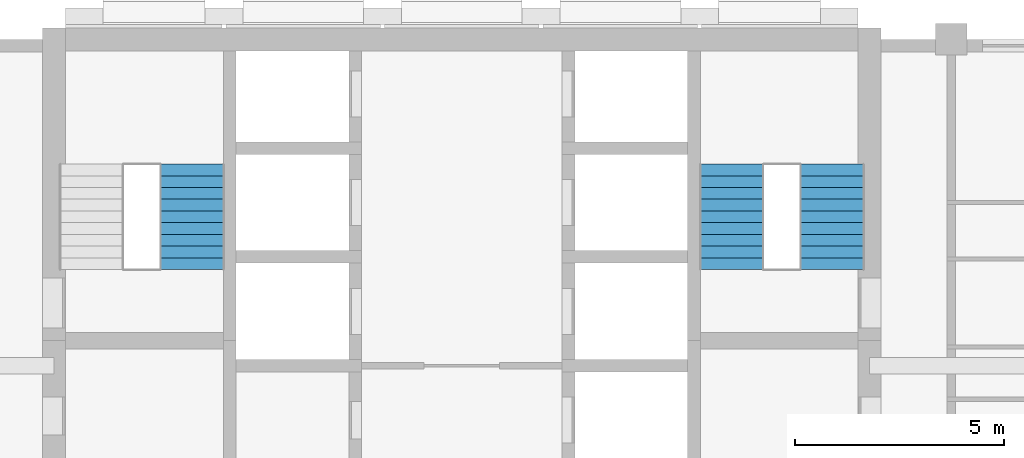
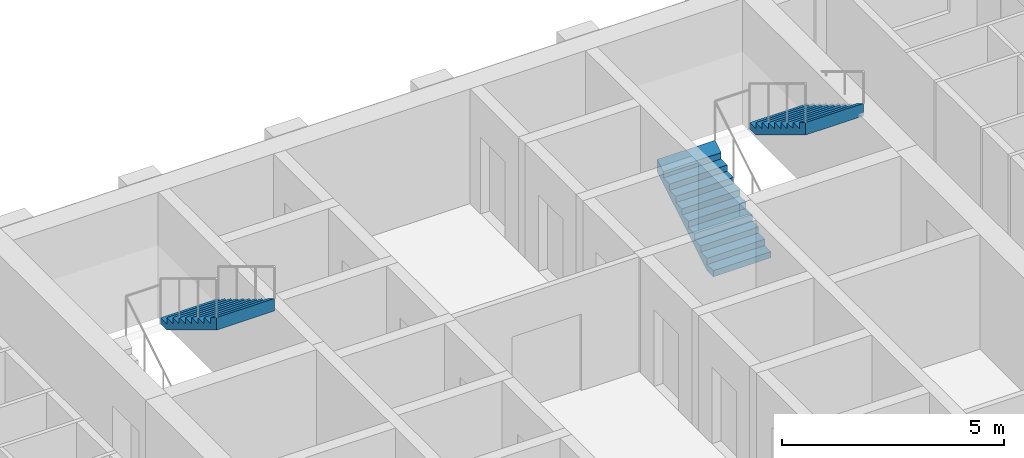
# One storey, part 11 of 13: 3 stair flights, 2 elements without a shape of their own.
"""IFC4 building model written with IfcOpenShell, lengths in metres."""

from ifc_helpers import new_model, si_unit, direction, frame, origin, place, context, subcontext, project, spatial, triangles, material, type_object, element, aggregate, save


model = new_model("IFC4")

# Units and contexts
model_context = context("Model", 3, precision=1e-05, world=origin(), true_north=direction((0.0, 1.0)))
body_context = subcontext(model_context, "Body", "Model", "MODEL_VIEW")
ifc_project = project(units=[si_unit("LENGTHUNIT", "METRE"), si_unit("AREAUNIT", "SQUARE_METRE"), si_unit("VOLUMEUNIT", "CUBIC_METRE"), si_unit("PLANEANGLEUNIT", "RADIAN"), si_unit("MASSUNIT", "GRAM", prefix="KILO")], contexts=[model_context])

# Site, building, storey
site_placement = place(None, origin())
site = spatial("IfcSite", under=ifc_project, at=site_placement, CompositionType="ELEMENT")
building_placement = place(site_placement, origin())
building = spatial("IfcBuilding", under=site, at=building_placement, Name="Ludao Terraces", CompositionType="ELEMENT")
storey_placement = place(building_placement, frame((0.0, 0.0, 148.60009765625)))
storey = spatial("IfcBuildingStorey", under=building, at=storey_placement, Name="L40", CompositionType="ELEMENT", Elevation=148.60009765625)

# Stair, stair flight
ifc_material = material(Name="Concrete C40", Category="concrete")
stair_type = type_object("IfcStairType", Name="INT Stair", PredefinedType="HALF_TURN_STAIR", material=ifc_material)
stair_1_placement = place(storey_placement, origin())
stair_1 = element("IfcStair", 1, at=stair_1_placement, inside=storey, type_object=stair_type, Name="EXIT STAIR 1", PredefinedType="HALF_TURN_STAIR")
stair_flight_type = type_object("IfcStairFlightType", Name="INT Stair flight", PredefinedType="STRAIGHT", material=ifc_material)
stair_flight_1_placement = place(storey_placement, frame((78.550048828125, 81.52001953125, 1.699951171875), z_axis=(0.0, 0.0, 1.0), x_axis=(0.0, -1.0, 0.0)))
stair_flight_1 = element("IfcStairFlight", 2, at=stair_flight_1_placement, type_object=stair_flight_type, Name="ST1 flight 2", NumberOfRisers=10, NumberOfTreads=9, PredefinedType="STRAIGHT", RiserHeight=0.17, TreadLength=0.28, context=body_context, shape_type="Tessellation", body=[
    triangles([(0.0, -0.75, 0.0), (0.0, -0.5, 0.0), (0.0, -0.25, 0.0), (0.0, 0.0, 0.0), (0.0, 0.25, 0.0), (0.0, 0.5, 0.0), (0.0, 0.75, 0.0), (0.0, -0.75, 0.169921875), (0.0, -0.5, 0.169921875), (0.0, -0.25, 0.169921875), (0.0, 0.0, 0.169921875), (0.0, 0.25, 0.169921875), (0.0, 0.5, 0.169921875), (0.0, 0.75, 0.169921875), (0.280029296875, -0.75, 0.169921875), (0.280029296875, -0.5, 0.169921875), (0.280029296875, -0.25, 0.169921875), (0.280029296875, 0.0, 0.169921875), (0.280029296875, 0.25, 0.169921875), (0.280029296875, 0.5, 0.169921875), (0.280029296875, 0.75, 0.169921875), (0.280029296875, -0.75, 0.340087890625), (0.280029296875, -0.5, 0.340087890625), (0.280029296875, -0.25, 0.340087890625), (0.280029296875, 0.0, 0.340087890625), (0.280029296875, 0.25, 0.340087890625), (0.280029296875, 0.5, 0.340087890625), (0.280029296875, 0.75, 0.340087890625), (0.56005859375, -0.75, 0.340087890625), (0.56005859375, -0.5, 0.340087890625), (0.56005859375, -0.25, 0.340087890625), (0.56005859375, 0.0, 0.340087890625), (0.56005859375, 0.25, 0.340087890625), (0.56005859375, 0.5, 0.340087890625), (0.56005859375, 0.75, 0.340087890625), (0.56005859375, -0.75, 0.510009765625), (0.56005859375, -0.5, 0.510009765625), (0.56005859375, -0.25, 0.510009765625), (0.56005859375, 0.0, 0.510009765625), (0.56005859375, 0.25, 0.510009765625), (0.56005859375, 0.5, 0.510009765625), (0.56005859375, 0.75, 0.510009765625), (0.840087890625, -0.75, 0.510009765625), (0.840087890625, -0.5, 0.510009765625), (0.840087890625, -0.25, 0.510009765625), (0.840087890625, 0.0, 0.510009765625), (0.840087890625, 0.25, 0.510009765625), (0.840087890625, 0.5, 0.510009765625), (0.840087890625, 0.75, 0.510009765625), (0.840087890625, -0.75, 0.679931640625), (0.840087890625, -0.5, 0.679931640625), (0.840087890625, -0.25, 0.679931640625), (0.840087890625, 0.0, 0.679931640625), (0.840087890625, 0.25, 0.679931640625), (0.840087890625, 0.5, 0.679931640625), (0.840087890625, 0.75, 0.679931640625), (1.1201171875, -0.75, 0.679931640625), (1.1201171875, -0.5, 0.679931640625), (1.1201171875, -0.25, 0.679931640625), (1.1201171875, 0.0, 0.679931640625), (1.1201171875, 0.25, 0.679931640625), (1.1201171875, 0.5, 0.679931640625), (1.1201171875, 0.75, 0.679931640625), (1.1201171875, -0.75, 0.85009765625), (1.1201171875, -0.5, 0.85009765625), (1.1201171875, -0.25, 0.85009765625), (1.1201171875, 0.0, 0.85009765625), (1.1201171875, 0.25, 0.85009765625), (1.1201171875, 0.5, 0.85009765625), (1.1201171875, 0.75, 0.85009765625), (1.39990234375, -0.75, 0.85009765625), (1.39990234375, -0.5, 0.85009765625), (1.39990234375, -0.25, 0.85009765625), (1.39990234375, 0.0, 0.85009765625), (1.39990234375, 0.25, 0.85009765625), (1.39990234375, 0.5, 0.85009765625), (1.39990234375, 0.75, 0.85009765625), (1.39990234375, -0.75, 1.02001953125), (1.39990234375, -0.5, 1.02001953125), (1.39990234375, -0.25, 1.02001953125), (1.39990234375, 0.0, 1.02001953125), (1.39990234375, 0.25, 1.02001953125), (1.39990234375, 0.5, 1.02001953125), (1.39990234375, 0.75, 1.02001953125), (1.679931640625, -0.75, 1.02001953125), (1.679931640625, -0.5, 1.02001953125), (1.679931640625, -0.25, 1.02001953125), (1.679931640625, 0.0, 1.02001953125), (1.679931640625, 0.25, 1.02001953125), (1.679931640625, 0.5, 1.02001953125), (1.679931640625, 0.75, 1.02001953125), (1.679931640625, -0.75, 1.18994140625), (1.679931640625, -0.5, 1.18994140625), (1.679931640625, -0.25, 1.18994140625), (1.679931640625, 0.0, 1.18994140625), (1.679931640625, 0.25, 1.18994140625), (1.679931640625, 0.5, 1.18994140625), (1.679931640625, 0.75, 1.18994140625), (1.9599609375, -0.75, 1.18994140625), (1.9599609375, -0.5, 1.18994140625), (1.9599609375, -0.25, 1.18994140625), (1.9599609375, 0.0, 1.18994140625), (1.9599609375, 0.25, 1.18994140625), (1.9599609375, 0.5, 1.18994140625), (1.9599609375, 0.75, 1.18994140625), (1.9599609375, -0.75, 1.360107421875), (1.9599609375, -0.5, 1.360107421875), (1.9599609375, -0.25, 1.360107421875), (1.9599609375, 0.0, 1.360107421875), (1.9599609375, 0.25, 1.360107421875), (1.9599609375, 0.5, 1.360107421875), (1.9599609375, 0.75, 1.360107421875), (2.239990234375, -0.75, 1.360107421875), (2.239990234375, -0.5, 1.360107421875), (2.239990234375, -0.25, 1.360107421875), (2.239990234375, 0.0, 1.360107421875), (2.239990234375, 0.25, 1.360107421875), (2.239990234375, 0.5, 1.360107421875), (2.239990234375, 0.75, 1.360107421875), (2.239990234375, -0.75, 1.530029296875), (2.239990234375, -0.5, 1.530029296875), (2.239990234375, -0.25, 1.530029296875), (2.239990234375, 0.0, 1.530029296875), (2.239990234375, 0.25, 1.530029296875), (2.239990234375, 0.5, 1.530029296875), (2.239990234375, 0.75, 1.530029296875), (2.52001953125, -0.75, 1.699951171875), (2.52001953125, -0.5, 1.699951171875), (2.52001953125, -0.25, 1.699951171875), (2.52001953125, 0.0, 1.699951171875), (2.52001953125, 0.25, 1.699951171875), (2.52001953125, 0.5, 1.699951171875), (2.52001953125, 0.75, 1.699951171875), (2.52001953125, -0.75, 1.354736328125), (2.52001953125, -0.5, 1.354736328125), (2.52001953125, -0.25, 1.354736328125), (2.52001953125, 0.0, 1.354736328125), (2.52001953125, 0.25, 1.354736328125), (2.52001953125, 0.5, 1.354736328125), (2.52001953125, 0.75, 1.354736328125), (0.288818359375, -0.75, 0.0), (0.288818359375, -0.5, 0.0), (0.288818359375, -0.25, 0.0), (0.288818359375, 0.0, 0.0), (0.288818359375, 0.25, 0.0), (0.288818359375, 0.5, 0.0), (0.288818359375, 0.75, 0.0)], [[1, 141, 134], [7, 140, 147], [134, 127, 120], [140, 126, 133], [134, 120, 113], [140, 119, 126], [134, 113, 106], [140, 112, 119], [134, 106, 99], [140, 105, 112], [99, 92, 85], [105, 91, 98], [134, 99, 85], [140, 91, 105], [85, 78, 71], [91, 77, 84], [134, 85, 71], [140, 77, 91], [71, 64, 57], [77, 63, 70], [134, 71, 57], [140, 63, 77], [57, 50, 43], [63, 49, 56], [134, 57, 43], [140, 49, 63], [43, 36, 29], [49, 35, 42], [134, 43, 29], [140, 35, 49], [29, 22, 15], [35, 21, 28], [134, 29, 15], [140, 21, 35], [1, 134, 15], [7, 21, 140], [15, 8, 1], [21, 7, 14], [1, 9, 2], [1, 8, 9], [2, 10, 3], [2, 9, 10], [3, 11, 4], [3, 10, 11], [4, 12, 5], [4, 11, 12], [5, 13, 6], [5, 12, 13], [6, 14, 7], [6, 13, 14], [8, 16, 9], [8, 15, 16], [9, 17, 10], [9, 16, 17], [10, 18, 11], [10, 17, 18], [11, 19, 12], [11, 18, 19], [12, 20, 13], [12, 19, 20], [13, 21, 14], [13, 20, 21], [15, 23, 16], [15, 22, 23], [16, 24, 17], [16, 23, 24], [17, 25, 18], [17, 24, 25], [18, 26, 19], [18, 25, 26], [19, 27, 20], [19, 26, 27], [20, 28, 21], [20, 27, 28], [22, 30, 23], [22, 29, 30], [23, 31, 24], [23, 30, 31], [24, 32, 25], [24, 31, 32], [25, 33, 26], [25, 32, 33], [26, 34, 27], [26, 33, 34], [27, 35, 28], [27, 34, 35], [29, 37, 30], [29, 36, 37], [30, 38, 31], [30, 37, 38], [31, 39, 32], [31, 38, 39], [32, 40, 33], [32, 39, 40], [33, 41, 34], [33, 40, 41], [34, 42, 35], [34, 41, 42], [36, 44, 37], [36, 43, 44], [37, 45, 38], [37, 44, 45], [38, 46, 39], [38, 45, 46], [39, 47, 40], [39, 46, 47], [40, 48, 41], [40, 47, 48], [41, 49, 42], [41, 48, 49], [43, 51, 44], [43, 50, 51], [44, 52, 45], [44, 51, 52], [45, 53, 46], [45, 52, 53], [46, 54, 47], [46, 53, 54], [47, 55, 48], [47, 54, 55], [48, 56, 49], [48, 55, 56], [50, 58, 51], [50, 57, 58], [51, 59, 52], [51, 58, 59], [52, 60, 53], [52, 59, 60], [53, 61, 54], [53, 60, 61], [54, 62, 55], [54, 61, 62], [55, 63, 56], [55, 62, 63], [57, 65, 58], [57, 64, 65], [58, 66, 59], [58, 65, 66], [59, 67, 60], [59, 66, 67], [60, 68, 61], [60, 67, 68], [61, 69, 62], [61, 68, 69], [62, 70, 63], [62, 69, 70], [64, 72, 65], [64, 71, 72], [65, 73, 66], [65, 72, 73], [66, 74, 67], [66, 73, 74], [67, 75, 68], [67, 74, 75], [68, 76, 69], [68, 75, 76], [69, 77, 70], [69, 76, 77], [71, 79, 72], [71, 78, 79], [72, 80, 73], [72, 79, 80], [73, 81, 74], [73, 80, 81], [74, 82, 75], [74, 81, 82], [75, 83, 76], [75, 82, 83], [76, 84, 77], [76, 83, 84], [78, 86, 79], [78, 85, 86], [79, 87, 80], [79, 86, 87], [80, 88, 81], [80, 87, 88], [81, 89, 82], [81, 88, 89], [82, 90, 83], [82, 89, 90], [83, 91, 84], [83, 90, 91], [85, 93, 86], [85, 92, 93], [86, 94, 87], [86, 93, 94], [87, 95, 88], [87, 94, 95], [88, 96, 89], [88, 95, 96], [89, 97, 90], [89, 96, 97], [90, 98, 91], [90, 97, 98], [92, 100, 93], [92, 99, 100], [93, 101, 94], [93, 100, 101], [94, 102, 95], [94, 101, 102], [95, 103, 96], [95, 102, 103], [96, 104, 97], [96, 103, 104], [97, 105, 98], [97, 104, 105], [99, 107, 100], [99, 106, 107], [100, 108, 101], [100, 107, 108], [101, 109, 102], [101, 108, 109], [102, 110, 103], [102, 109, 110], [103, 111, 104], [103, 110, 111], [104, 112, 105], [104, 111, 112], [106, 114, 107], [106, 113, 114], [107, 115, 108], [107, 114, 115], [108, 116, 109], [108, 115, 116], [109, 117, 110], [109, 116, 117], [110, 118, 111], [110, 117, 118], [111, 119, 112], [111, 118, 119], [113, 121, 114], [113, 120, 121], [114, 122, 115], [114, 121, 122], [115, 123, 116], [115, 122, 123], [116, 124, 117], [116, 123, 124], [117, 125, 118], [117, 124, 125], [118, 126, 119], [118, 125, 126], [120, 128, 121], [120, 127, 128], [121, 129, 122], [121, 128, 129], [122, 130, 123], [122, 129, 130], [123, 131, 124], [123, 130, 131], [124, 132, 125], [124, 131, 132], [125, 133, 126], [125, 132, 133], [127, 135, 128], [127, 134, 135], [128, 136, 129], [128, 135, 136], [129, 137, 130], [129, 136, 137], [130, 138, 131], [130, 137, 138], [131, 139, 132], [131, 138, 139], [132, 140, 133], [132, 139, 140], [134, 142, 135], [134, 141, 142], [135, 143, 136], [135, 142, 143], [136, 144, 137], [136, 143, 144], [137, 145, 138], [137, 144, 145], [138, 146, 139], [138, 145, 146], [139, 147, 140], [139, 146, 147], [141, 2, 142], [141, 1, 2], [142, 3, 143], [142, 2, 3], [143, 4, 144], [143, 3, 4], [144, 5, 145], [144, 4, 5], [145, 6, 146], [145, 5, 6], [146, 7, 147], [146, 6, 7]], closed=True),
])
aggregate(stair_1, [stair_flight_1])

# Stair, stair flights
stair_2_placement = place(storey_placement, origin())
stair_2 = element("IfcStair", 3, at=stair_2_placement, inside=storey, type_object=stair_type, Name="EXIT STAIR 2", PredefinedType="HALF_TURN_STAIR")
stair_flight_2_placement = place(storey_placement, frame((91.449951171875, 79.0, 0.0), z_axis=(0.0, 0.0, 1.0), x_axis=(0.0, 1.0, 0.0)))
stair_flight_2 = element("IfcStairFlight", 4, at=stair_flight_2_placement, type_object=stair_flight_type, Name="ST2 flight 1", NumberOfRisers=10, NumberOfTreads=9, PredefinedType="STRAIGHT", RiserHeight=0.17, TreadLength=0.28, context=body_context, shape_type="Tessellation", body=[
    triangles([(0.0, -0.75, 0.0), (0.0, -0.5, 0.0), (0.0, -0.25, 0.0), (0.0, 0.0, 0.0), (0.0, 0.25, 0.0), (0.0, 0.5, 0.0), (0.0, 0.75, 0.0), (0.0, -0.75, 0.169921875), (0.0, -0.5, 0.169921875), (0.0, -0.25, 0.169921875), (0.0, 0.0, 0.169921875), (0.0, 0.25, 0.169921875), (0.0, 0.5, 0.169921875), (0.0, 0.75, 0.169921875), (0.280029296875, -0.75, 0.169921875), (0.280029296875, -0.5, 0.169921875), (0.280029296875, -0.25, 0.169921875), (0.280029296875, 0.0, 0.169921875), (0.280029296875, 0.25, 0.169921875), (0.280029296875, 0.5, 0.169921875), (0.280029296875, 0.75, 0.169921875), (0.280029296875, -0.75, 0.340087890625), (0.280029296875, -0.5, 0.340087890625), (0.280029296875, -0.25, 0.340087890625), (0.280029296875, 0.0, 0.340087890625), (0.280029296875, 0.25, 0.340087890625), (0.280029296875, 0.5, 0.340087890625), (0.280029296875, 0.75, 0.340087890625), (0.56005859375, -0.75, 0.340087890625), (0.56005859375, -0.5, 0.340087890625), (0.56005859375, -0.25, 0.340087890625), (0.56005859375, 0.0, 0.340087890625), (0.56005859375, 0.25, 0.340087890625), (0.56005859375, 0.5, 0.340087890625), (0.56005859375, 0.75, 0.340087890625), (0.56005859375, -0.75, 0.510009765625), (0.56005859375, -0.5, 0.510009765625), (0.56005859375, -0.25, 0.510009765625), (0.56005859375, 0.0, 0.510009765625), (0.56005859375, 0.25, 0.510009765625), (0.56005859375, 0.5, 0.510009765625), (0.56005859375, 0.75, 0.510009765625), (0.840087890625, -0.75, 0.510009765625), (0.840087890625, -0.5, 0.510009765625), (0.840087890625, -0.25, 0.510009765625), (0.840087890625, 0.0, 0.510009765625), (0.840087890625, 0.25, 0.510009765625), (0.840087890625, 0.5, 0.510009765625), (0.840087890625, 0.75, 0.510009765625), (0.840087890625, -0.75, 0.679931640625), (0.840087890625, -0.5, 0.679931640625), (0.840087890625, -0.25, 0.679931640625), (0.840087890625, 0.0, 0.679931640625), (0.840087890625, 0.25, 0.679931640625), (0.840087890625, 0.5, 0.679931640625), (0.840087890625, 0.75, 0.679931640625), (1.1201171875, -0.75, 0.679931640625), (1.1201171875, -0.5, 0.679931640625), (1.1201171875, -0.25, 0.679931640625), (1.1201171875, 0.0, 0.679931640625), (1.1201171875, 0.25, 0.679931640625), (1.1201171875, 0.5, 0.679931640625), (1.1201171875, 0.75, 0.679931640625), (1.1201171875, -0.75, 0.85009765625), (1.1201171875, -0.5, 0.85009765625), (1.1201171875, -0.25, 0.85009765625), (1.1201171875, 0.0, 0.85009765625), (1.1201171875, 0.25, 0.85009765625), (1.1201171875, 0.5, 0.85009765625), (1.1201171875, 0.75, 0.85009765625), (1.39990234375, -0.75, 0.85009765625), (1.39990234375, -0.5, 0.85009765625), (1.39990234375, -0.25, 0.85009765625), (1.39990234375, 0.0, 0.85009765625), (1.39990234375, 0.25, 0.85009765625), (1.39990234375, 0.5, 0.85009765625), (1.39990234375, 0.75, 0.85009765625), (1.39990234375, -0.75, 1.02001953125), (1.39990234375, -0.5, 1.02001953125), (1.39990234375, -0.25, 1.02001953125), (1.39990234375, 0.0, 1.02001953125), (1.39990234375, 0.25, 1.02001953125), (1.39990234375, 0.5, 1.02001953125), (1.39990234375, 0.75, 1.02001953125), (1.679931640625, -0.75, 1.02001953125), (1.679931640625, -0.5, 1.02001953125), (1.679931640625, -0.25, 1.02001953125), (1.679931640625, 0.0, 1.02001953125), (1.679931640625, 0.25, 1.02001953125), (1.679931640625, 0.5, 1.02001953125), (1.679931640625, 0.75, 1.02001953125), (1.679931640625, -0.75, 1.18994140625), (1.679931640625, -0.5, 1.18994140625), (1.679931640625, -0.25, 1.18994140625), (1.679931640625, 0.0, 1.18994140625), (1.679931640625, 0.25, 1.18994140625), (1.679931640625, 0.5, 1.18994140625), (1.679931640625, 0.75, 1.18994140625), (1.9599609375, -0.75, 1.18994140625), (1.9599609375, -0.5, 1.18994140625), (1.9599609375, -0.25, 1.18994140625), (1.9599609375, 0.0, 1.18994140625), (1.9599609375, 0.25, 1.18994140625), (1.9599609375, 0.5, 1.18994140625), (1.9599609375, 0.75, 1.18994140625), (1.9599609375, -0.75, 1.360107421875), (1.9599609375, -0.5, 1.360107421875), (1.9599609375, -0.25, 1.360107421875), (1.9599609375, 0.0, 1.360107421875), (1.9599609375, 0.25, 1.360107421875), (1.9599609375, 0.5, 1.360107421875), (1.9599609375, 0.75, 1.360107421875), (2.239990234375, -0.75, 1.360107421875), (2.239990234375, -0.5, 1.360107421875), (2.239990234375, -0.25, 1.360107421875), (2.239990234375, 0.0, 1.360107421875), (2.239990234375, 0.25, 1.360107421875), (2.239990234375, 0.5, 1.360107421875), (2.239990234375, 0.75, 1.360107421875), (2.239990234375, -0.75, 1.530029296875), (2.239990234375, -0.5, 1.530029296875), (2.239990234375, -0.25, 1.530029296875), (2.239990234375, 0.0, 1.530029296875), (2.239990234375, 0.25, 1.530029296875), (2.239990234375, 0.5, 1.530029296875), (2.239990234375, 0.75, 1.530029296875), (2.52001953125, -0.75, 1.699951171875), (2.52001953125, -0.5, 1.699951171875), (2.52001953125, -0.25, 1.699951171875), (2.52001953125, 0.0, 1.699951171875), (2.52001953125, 0.25, 1.699951171875), (2.52001953125, 0.5, 1.699951171875), (2.52001953125, 0.75, 1.699951171875), (2.52001953125, -0.75, 1.354736328125), (2.52001953125, -0.5, 1.354736328125), (2.52001953125, -0.25, 1.354736328125), (2.52001953125, 0.0, 1.354736328125), (2.52001953125, 0.25, 1.354736328125), (2.52001953125, 0.5, 1.354736328125), (2.52001953125, 0.75, 1.354736328125), (0.288818359375, -0.75, 0.0), (0.288818359375, -0.5, 0.0), (0.288818359375, -0.25, 0.0), (0.288818359375, 0.0, 0.0), (0.288818359375, 0.25, 0.0), (0.288818359375, 0.5, 0.0), (0.288818359375, 0.75, 0.0)], [[1, 141, 134], [7, 140, 147], [134, 127, 120], [140, 126, 133], [134, 120, 113], [140, 119, 126], [134, 113, 106], [140, 112, 119], [134, 106, 99], [140, 105, 112], [99, 92, 85], [105, 91, 98], [134, 99, 85], [140, 91, 105], [85, 78, 71], [91, 77, 84], [134, 85, 71], [140, 77, 91], [71, 64, 57], [77, 63, 70], [134, 71, 57], [140, 63, 77], [57, 50, 43], [63, 49, 56], [134, 57, 43], [140, 49, 63], [43, 36, 29], [49, 35, 42], [134, 43, 29], [140, 35, 49], [29, 22, 15], [35, 21, 28], [134, 29, 15], [140, 21, 35], [1, 134, 15], [7, 21, 140], [15, 8, 1], [21, 7, 14], [1, 9, 2], [1, 8, 9], [2, 10, 3], [2, 9, 10], [3, 11, 4], [3, 10, 11], [4, 12, 5], [4, 11, 12], [5, 13, 6], [5, 12, 13], [6, 14, 7], [6, 13, 14], [8, 16, 9], [8, 15, 16], [9, 17, 10], [9, 16, 17], [10, 18, 11], [10, 17, 18], [11, 19, 12], [11, 18, 19], [12, 20, 13], [12, 19, 20], [13, 21, 14], [13, 20, 21], [15, 23, 16], [15, 22, 23], [16, 24, 17], [16, 23, 24], [17, 25, 18], [17, 24, 25], [18, 26, 19], [18, 25, 26], [19, 27, 20], [19, 26, 27], [20, 28, 21], [20, 27, 28], [22, 30, 23], [22, 29, 30], [23, 31, 24], [23, 30, 31], [24, 32, 25], [24, 31, 32], [25, 33, 26], [25, 32, 33], [26, 34, 27], [26, 33, 34], [27, 35, 28], [27, 34, 35], [29, 37, 30], [29, 36, 37], [30, 38, 31], [30, 37, 38], [31, 39, 32], [31, 38, 39], [32, 40, 33], [32, 39, 40], [33, 41, 34], [33, 40, 41], [34, 42, 35], [34, 41, 42], [36, 44, 37], [36, 43, 44], [37, 45, 38], [37, 44, 45], [38, 46, 39], [38, 45, 46], [39, 47, 40], [39, 46, 47], [40, 48, 41], [40, 47, 48], [41, 49, 42], [41, 48, 49], [43, 51, 44], [43, 50, 51], [44, 52, 45], [44, 51, 52], [45, 53, 46], [45, 52, 53], [46, 54, 47], [46, 53, 54], [47, 55, 48], [47, 54, 55], [48, 56, 49], [48, 55, 56], [50, 58, 51], [50, 57, 58], [51, 59, 52], [51, 58, 59], [52, 60, 53], [52, 59, 60], [53, 61, 54], [53, 60, 61], [54, 62, 55], [54, 61, 62], [55, 63, 56], [55, 62, 63], [57, 65, 58], [57, 64, 65], [58, 66, 59], [58, 65, 66], [59, 67, 60], [59, 66, 67], [60, 68, 61], [60, 67, 68], [61, 69, 62], [61, 68, 69], [62, 70, 63], [62, 69, 70], [64, 72, 65], [64, 71, 72], [65, 73, 66], [65, 72, 73], [66, 74, 67], [66, 73, 74], [67, 75, 68], [67, 74, 75], [68, 76, 69], [68, 75, 76], [69, 77, 70], [69, 76, 77], [71, 79, 72], [71, 78, 79], [72, 80, 73], [72, 79, 80], [73, 81, 74], [73, 80, 81], [74, 82, 75], [74, 81, 82], [75, 83, 76], [75, 82, 83], [76, 84, 77], [76, 83, 84], [78, 86, 79], [78, 85, 86], [79, 87, 80], [79, 86, 87], [80, 88, 81], [80, 87, 88], [81, 89, 82], [81, 88, 89], [82, 90, 83], [82, 89, 90], [83, 91, 84], [83, 90, 91], [85, 93, 86], [85, 92, 93], [86, 94, 87], [86, 93, 94], [87, 95, 88], [87, 94, 95], [88, 96, 89], [88, 95, 96], [89, 97, 90], [89, 96, 97], [90, 98, 91], [90, 97, 98], [92, 100, 93], [92, 99, 100], [93, 101, 94], [93, 100, 101], [94, 102, 95], [94, 101, 102], [95, 103, 96], [95, 102, 103], [96, 104, 97], [96, 103, 104], [97, 105, 98], [97, 104, 105], [99, 107, 100], [99, 106, 107], [100, 108, 101], [100, 107, 108], [101, 109, 102], [101, 108, 109], [102, 110, 103], [102, 109, 110], [103, 111, 104], [103, 110, 111], [104, 112, 105], [104, 111, 112], [106, 114, 107], [106, 113, 114], [107, 115, 108], [107, 114, 115], [108, 116, 109], [108, 115, 116], [109, 117, 110], [109, 116, 117], [110, 118, 111], [110, 117, 118], [111, 119, 112], [111, 118, 119], [113, 121, 114], [113, 120, 121], [114, 122, 115], [114, 121, 122], [115, 123, 116], [115, 122, 123], [116, 124, 117], [116, 123, 124], [117, 125, 118], [117, 124, 125], [118, 126, 119], [118, 125, 126], [120, 128, 121], [120, 127, 128], [121, 129, 122], [121, 128, 129], [122, 130, 123], [122, 129, 130], [123, 131, 124], [123, 130, 131], [124, 132, 125], [124, 131, 132], [125, 133, 126], [125, 132, 133], [127, 135, 128], [127, 134, 135], [128, 136, 129], [128, 135, 136], [129, 137, 130], [129, 136, 137], [130, 138, 131], [130, 137, 138], [131, 139, 132], [131, 138, 139], [132, 140, 133], [132, 139, 140], [134, 142, 135], [134, 141, 142], [135, 143, 136], [135, 142, 143], [136, 144, 137], [136, 143, 144], [137, 145, 138], [137, 144, 145], [138, 146, 139], [138, 145, 146], [139, 147, 140], [139, 146, 147], [141, 2, 142], [141, 1, 2], [142, 3, 143], [142, 2, 3], [143, 4, 144], [143, 3, 4], [144, 5, 145], [144, 4, 5], [145, 6, 146], [145, 5, 6], [146, 7, 147], [146, 6, 7]], closed=True),
])
stair_flight_3_placement = place(storey_placement, frame((93.85009765625, 81.52001953125, 1.699951171875), z_axis=(0.0, 0.0, 1.0), x_axis=(0.0, -1.0, 0.0)))
stair_flight_3 = element("IfcStairFlight", 5, at=stair_flight_3_placement, type_object=stair_flight_type, Name="ST2 flight 2", NumberOfRisers=10, NumberOfTreads=9, PredefinedType="STRAIGHT", RiserHeight=0.17, TreadLength=0.28, context=body_context, shape_type="Tessellation", body=[
    triangles([(0.0, -0.75, 0.0), (0.0, -0.5, 0.0), (0.0, -0.25, 0.0), (0.0, 0.0, 0.0), (0.0, 0.25, 0.0), (0.0, 0.5, 0.0), (0.0, 0.75, 0.0), (0.0, -0.75, 0.169921875), (0.0, -0.5, 0.169921875), (0.0, -0.25, 0.169921875), (0.0, 0.0, 0.169921875), (0.0, 0.25, 0.169921875), (0.0, 0.5, 0.169921875), (0.0, 0.75, 0.169921875), (0.280029296875, -0.75, 0.169921875), (0.280029296875, -0.5, 0.169921875), (0.280029296875, -0.25, 0.169921875), (0.280029296875, 0.0, 0.169921875), (0.280029296875, 0.25, 0.169921875), (0.280029296875, 0.5, 0.169921875), (0.280029296875, 0.75, 0.169921875), (0.280029296875, -0.75, 0.340087890625), (0.280029296875, -0.5, 0.340087890625), (0.280029296875, -0.25, 0.340087890625), (0.280029296875, 0.0, 0.340087890625), (0.280029296875, 0.25, 0.340087890625), (0.280029296875, 0.5, 0.340087890625), (0.280029296875, 0.75, 0.340087890625), (0.56005859375, -0.75, 0.340087890625), (0.56005859375, -0.5, 0.340087890625), (0.56005859375, -0.25, 0.340087890625), (0.56005859375, 0.0, 0.340087890625), (0.56005859375, 0.25, 0.340087890625), (0.56005859375, 0.5, 0.340087890625), (0.56005859375, 0.75, 0.340087890625), (0.56005859375, -0.75, 0.510009765625), (0.56005859375, -0.5, 0.510009765625), (0.56005859375, -0.25, 0.510009765625), (0.56005859375, 0.0, 0.510009765625), (0.56005859375, 0.25, 0.510009765625), (0.56005859375, 0.5, 0.510009765625), (0.56005859375, 0.75, 0.510009765625), (0.840087890625, -0.75, 0.510009765625), (0.840087890625, -0.5, 0.510009765625), (0.840087890625, -0.25, 0.510009765625), (0.840087890625, 0.0, 0.510009765625), (0.840087890625, 0.25, 0.510009765625), (0.840087890625, 0.5, 0.510009765625), (0.840087890625, 0.75, 0.510009765625), (0.840087890625, -0.75, 0.679931640625), (0.840087890625, -0.5, 0.679931640625), (0.840087890625, -0.25, 0.679931640625), (0.840087890625, 0.0, 0.679931640625), (0.840087890625, 0.25, 0.679931640625), (0.840087890625, 0.5, 0.679931640625), (0.840087890625, 0.75, 0.679931640625), (1.1201171875, -0.75, 0.679931640625), (1.1201171875, -0.5, 0.679931640625), (1.1201171875, -0.25, 0.679931640625), (1.1201171875, 0.0, 0.679931640625), (1.1201171875, 0.25, 0.679931640625), (1.1201171875, 0.5, 0.679931640625), (1.1201171875, 0.75, 0.679931640625), (1.1201171875, -0.75, 0.85009765625), (1.1201171875, -0.5, 0.85009765625), (1.1201171875, -0.25, 0.85009765625), (1.1201171875, 0.0, 0.85009765625), (1.1201171875, 0.25, 0.85009765625), (1.1201171875, 0.5, 0.85009765625), (1.1201171875, 0.75, 0.85009765625), (1.39990234375, -0.75, 0.85009765625), (1.39990234375, -0.5, 0.85009765625), (1.39990234375, -0.25, 0.85009765625), (1.39990234375, 0.0, 0.85009765625), (1.39990234375, 0.25, 0.85009765625), (1.39990234375, 0.5, 0.85009765625), (1.39990234375, 0.75, 0.85009765625), (1.39990234375, -0.75, 1.02001953125), (1.39990234375, -0.5, 1.02001953125), (1.39990234375, -0.25, 1.02001953125), (1.39990234375, 0.0, 1.02001953125), (1.39990234375, 0.25, 1.02001953125), (1.39990234375, 0.5, 1.02001953125), (1.39990234375, 0.75, 1.02001953125), (1.679931640625, -0.75, 1.02001953125), (1.679931640625, -0.5, 1.02001953125), (1.679931640625, -0.25, 1.02001953125), (1.679931640625, 0.0, 1.02001953125), (1.679931640625, 0.25, 1.02001953125), (1.679931640625, 0.5, 1.02001953125), (1.679931640625, 0.75, 1.02001953125), (1.679931640625, -0.75, 1.18994140625), (1.679931640625, -0.5, 1.18994140625), (1.679931640625, -0.25, 1.18994140625), (1.679931640625, 0.0, 1.18994140625), (1.679931640625, 0.25, 1.18994140625), (1.679931640625, 0.5, 1.18994140625), (1.679931640625, 0.75, 1.18994140625), (1.9599609375, -0.75, 1.18994140625), (1.9599609375, -0.5, 1.18994140625), (1.9599609375, -0.25, 1.18994140625), (1.9599609375, 0.0, 1.18994140625), (1.9599609375, 0.25, 1.18994140625), (1.9599609375, 0.5, 1.18994140625), (1.9599609375, 0.75, 1.18994140625), (1.9599609375, -0.75, 1.360107421875), (1.9599609375, -0.5, 1.360107421875), (1.9599609375, -0.25, 1.360107421875), (1.9599609375, 0.0, 1.360107421875), (1.9599609375, 0.25, 1.360107421875), (1.9599609375, 0.5, 1.360107421875), (1.9599609375, 0.75, 1.360107421875), (2.239990234375, -0.75, 1.360107421875), (2.239990234375, -0.5, 1.360107421875), (2.239990234375, -0.25, 1.360107421875), (2.239990234375, 0.0, 1.360107421875), (2.239990234375, 0.25, 1.360107421875), (2.239990234375, 0.5, 1.360107421875), (2.239990234375, 0.75, 1.360107421875), (2.239990234375, -0.75, 1.530029296875), (2.239990234375, -0.5, 1.530029296875), (2.239990234375, -0.25, 1.530029296875), (2.239990234375, 0.0, 1.530029296875), (2.239990234375, 0.25, 1.530029296875), (2.239990234375, 0.5, 1.530029296875), (2.239990234375, 0.75, 1.530029296875), (2.52001953125, -0.75, 1.699951171875), (2.52001953125, -0.5, 1.699951171875), (2.52001953125, -0.25, 1.699951171875), (2.52001953125, 0.0, 1.699951171875), (2.52001953125, 0.25, 1.699951171875), (2.52001953125, 0.5, 1.699951171875), (2.52001953125, 0.75, 1.699951171875), (2.52001953125, -0.75, 1.354736328125), (2.52001953125, -0.5, 1.354736328125), (2.52001953125, -0.25, 1.354736328125), (2.52001953125, 0.0, 1.354736328125), (2.52001953125, 0.25, 1.354736328125), (2.52001953125, 0.5, 1.354736328125), (2.52001953125, 0.75, 1.354736328125), (0.288818359375, -0.75, 0.0), (0.288818359375, -0.5, 0.0), (0.288818359375, -0.25, 0.0), (0.288818359375, 0.0, 0.0), (0.288818359375, 0.25, 0.0), (0.288818359375, 0.5, 0.0), (0.288818359375, 0.75, 0.0)], [[1, 141, 134], [7, 140, 147], [134, 127, 120], [140, 126, 133], [134, 120, 113], [140, 119, 126], [134, 113, 106], [140, 112, 119], [134, 106, 99], [140, 105, 112], [99, 92, 85], [105, 91, 98], [134, 99, 85], [140, 91, 105], [85, 78, 71], [91, 77, 84], [134, 85, 71], [140, 77, 91], [71, 64, 57], [77, 63, 70], [134, 71, 57], [140, 63, 77], [57, 50, 43], [63, 49, 56], [134, 57, 43], [140, 49, 63], [43, 36, 29], [49, 35, 42], [134, 43, 29], [140, 35, 49], [29, 22, 15], [35, 21, 28], [134, 29, 15], [140, 21, 35], [1, 134, 15], [7, 21, 140], [15, 8, 1], [21, 7, 14], [1, 9, 2], [1, 8, 9], [2, 10, 3], [2, 9, 10], [3, 11, 4], [3, 10, 11], [4, 12, 5], [4, 11, 12], [5, 13, 6], [5, 12, 13], [6, 14, 7], [6, 13, 14], [8, 16, 9], [8, 15, 16], [9, 17, 10], [9, 16, 17], [10, 18, 11], [10, 17, 18], [11, 19, 12], [11, 18, 19], [12, 20, 13], [12, 19, 20], [13, 21, 14], [13, 20, 21], [15, 23, 16], [15, 22, 23], [16, 24, 17], [16, 23, 24], [17, 25, 18], [17, 24, 25], [18, 26, 19], [18, 25, 26], [19, 27, 20], [19, 26, 27], [20, 28, 21], [20, 27, 28], [22, 30, 23], [22, 29, 30], [23, 31, 24], [23, 30, 31], [24, 32, 25], [24, 31, 32], [25, 33, 26], [25, 32, 33], [26, 34, 27], [26, 33, 34], [27, 35, 28], [27, 34, 35], [29, 37, 30], [29, 36, 37], [30, 38, 31], [30, 37, 38], [31, 39, 32], [31, 38, 39], [32, 40, 33], [32, 39, 40], [33, 41, 34], [33, 40, 41], [34, 42, 35], [34, 41, 42], [36, 44, 37], [36, 43, 44], [37, 45, 38], [37, 44, 45], [38, 46, 39], [38, 45, 46], [39, 47, 40], [39, 46, 47], [40, 48, 41], [40, 47, 48], [41, 49, 42], [41, 48, 49], [43, 51, 44], [43, 50, 51], [44, 52, 45], [44, 51, 52], [45, 53, 46], [45, 52, 53], [46, 54, 47], [46, 53, 54], [47, 55, 48], [47, 54, 55], [48, 56, 49], [48, 55, 56], [50, 58, 51], [50, 57, 58], [51, 59, 52], [51, 58, 59], [52, 60, 53], [52, 59, 60], [53, 61, 54], [53, 60, 61], [54, 62, 55], [54, 61, 62], [55, 63, 56], [55, 62, 63], [57, 65, 58], [57, 64, 65], [58, 66, 59], [58, 65, 66], [59, 67, 60], [59, 66, 67], [60, 68, 61], [60, 67, 68], [61, 69, 62], [61, 68, 69], [62, 70, 63], [62, 69, 70], [64, 72, 65], [64, 71, 72], [65, 73, 66], [65, 72, 73], [66, 74, 67], [66, 73, 74], [67, 75, 68], [67, 74, 75], [68, 76, 69], [68, 75, 76], [69, 77, 70], [69, 76, 77], [71, 79, 72], [71, 78, 79], [72, 80, 73], [72, 79, 80], [73, 81, 74], [73, 80, 81], [74, 82, 75], [74, 81, 82], [75, 83, 76], [75, 82, 83], [76, 84, 77], [76, 83, 84], [78, 86, 79], [78, 85, 86], [79, 87, 80], [79, 86, 87], [80, 88, 81], [80, 87, 88], [81, 89, 82], [81, 88, 89], [82, 90, 83], [82, 89, 90], [83, 91, 84], [83, 90, 91], [85, 93, 86], [85, 92, 93], [86, 94, 87], [86, 93, 94], [87, 95, 88], [87, 94, 95], [88, 96, 89], [88, 95, 96], [89, 97, 90], [89, 96, 97], [90, 98, 91], [90, 97, 98], [92, 100, 93], [92, 99, 100], [93, 101, 94], [93, 100, 101], [94, 102, 95], [94, 101, 102], [95, 103, 96], [95, 102, 103], [96, 104, 97], [96, 103, 104], [97, 105, 98], [97, 104, 105], [99, 107, 100], [99, 106, 107], [100, 108, 101], [100, 107, 108], [101, 109, 102], [101, 108, 109], [102, 110, 103], [102, 109, 110], [103, 111, 104], [103, 110, 111], [104, 112, 105], [104, 111, 112], [106, 114, 107], [106, 113, 114], [107, 115, 108], [107, 114, 115], [108, 116, 109], [108, 115, 116], [109, 117, 110], [109, 116, 117], [110, 118, 111], [110, 117, 118], [111, 119, 112], [111, 118, 119], [113, 121, 114], [113, 120, 121], [114, 122, 115], [114, 121, 122], [115, 123, 116], [115, 122, 123], [116, 124, 117], [116, 123, 124], [117, 125, 118], [117, 124, 125], [118, 126, 119], [118, 125, 126], [120, 128, 121], [120, 127, 128], [121, 129, 122], [121, 128, 129], [122, 130, 123], [122, 129, 130], [123, 131, 124], [123, 130, 131], [124, 132, 125], [124, 131, 132], [125, 133, 126], [125, 132, 133], [127, 135, 128], [127, 134, 135], [128, 136, 129], [128, 135, 136], [129, 137, 130], [129, 136, 137], [130, 138, 131], [130, 137, 138], [131, 139, 132], [131, 138, 139], [132, 140, 133], [132, 139, 140], [134, 142, 135], [134, 141, 142], [135, 143, 136], [135, 142, 143], [136, 144, 137], [136, 143, 144], [137, 145, 138], [137, 144, 145], [138, 146, 139], [138, 145, 146], [139, 147, 140], [139, 146, 147], [141, 2, 142], [141, 1, 2], [142, 3, 143], [142, 2, 3], [143, 4, 144], [143, 3, 4], [144, 5, 145], [144, 4, 5], [145, 6, 146], [145, 5, 6], [146, 7, 147], [146, 6, 7]], closed=True),
])
aggregate(stair_2, [stair_flight_2, stair_flight_3])

save(model, "model.ifc")
